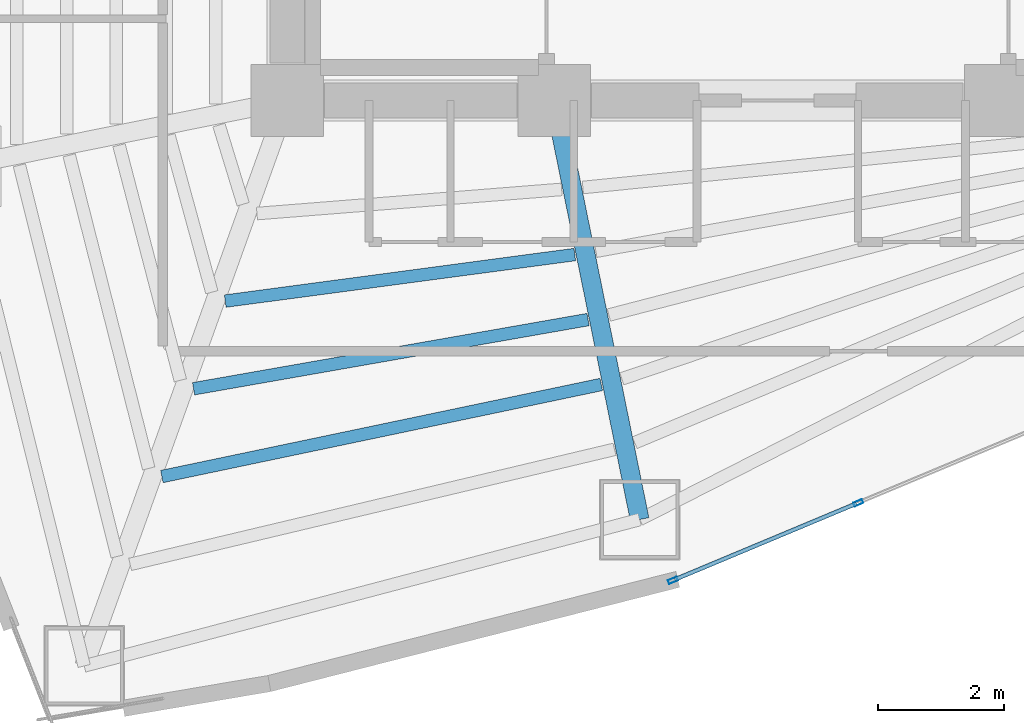
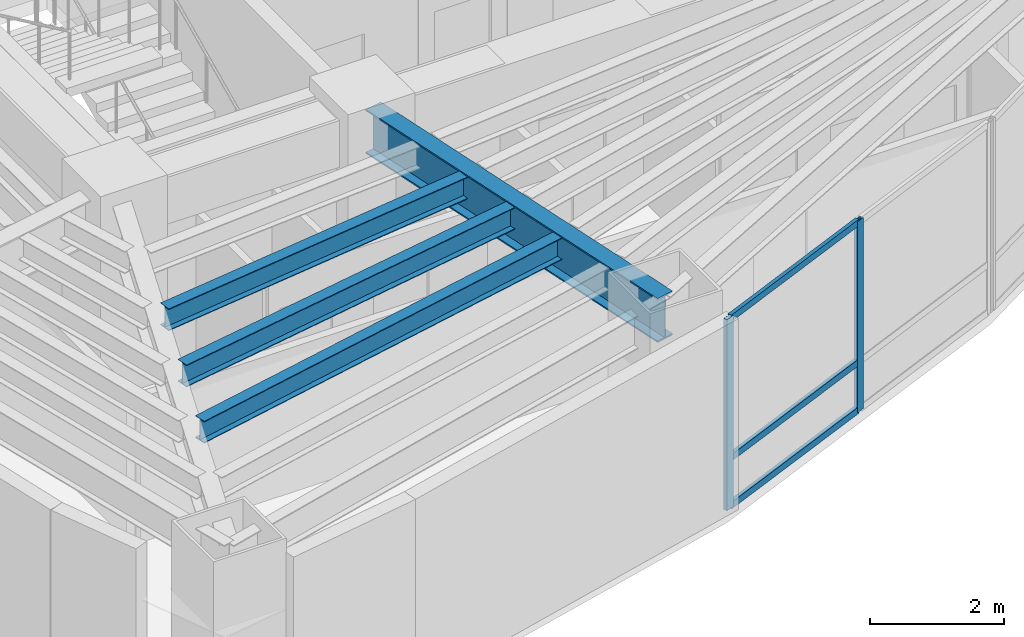
# One storey, part 2 of 18: 5 members, 4 beams, 1 element without a shape of its own.
"""IFC4 building model written with IfcOpenShell, lengths in metres."""

from ifc_helpers import new_model, si_unit, direction, frame, origin, origin_2d, place, context, subcontext, project, spatial, hollow_rectangle, i_section, extrude, material, layer, layer_set, material_profile, profile_set, type_object, element, aggregate, save


model = new_model("IFC4")

# Units and contexts
model_context = context("Model", 3, precision=1e-05, world=origin(), true_north=direction((0.0, 1.0)))
body_context = subcontext(model_context, "Body", "Model", "MODEL_VIEW")
ifc_project = project(units=[si_unit("LENGTHUNIT", "METRE"), si_unit("AREAUNIT", "SQUARE_METRE"), si_unit("VOLUMEUNIT", "CUBIC_METRE"), si_unit("PLANEANGLEUNIT", "RADIAN"), si_unit("MASSUNIT", "GRAM", prefix="KILO")], contexts=[model_context])

# Site, building, storey
site_placement = place(None, origin())
site = spatial("IfcSite", under=ifc_project, at=site_placement, CompositionType="ELEMENT")
building_placement = place(site_placement, origin())
building = spatial("IfcBuilding", under=site, at=building_placement, Name="Menara Vayukalpa", CompositionType="ELEMENT")
storey_placement = place(building_placement, frame((0.0, 0.0, 89.10009765625)))
storey = spatial("IfcBuildingStorey", under=building, at=storey_placement, Name="L21", CompositionType="ELEMENT", Elevation=89.10009765625)

# Beams
ifc_material_1 = material(Name="Steel S355", Category="steel")
ifc_material_profile_1 = material_profile(ifc_material_1, i_section(OverallWidth=0.300048828125, OverallDepth=0.800048828125, WebThickness=0.013916015625, FlangeThickness=0.02587890625, at=origin_2d()), Name="WF 800x300x14x26")
ifc_profile_set_1 = profile_set([ifc_material_profile_1], Name="Steel S355")
beam_type_1 = type_object("IfcBeamType", Name="BM-PG3", PredefinedType="BEAM", material=ifc_profile_set_1)
beam_1_placement = place(storey_placement, frame((22.099853515625, 16.955078125, 3.06982421875), z_axis=(0.199617728418, -0.9798738503, 0.0), x_axis=(0.9798738503, 0.199617728418, 0.0)))
element("IfcBeam", 1, at=beam_1_placement, inside=storey, type_object=beam_type_1, Name="L21 Primary Radial Girder RG08", PredefinedType="BEAM", context=body_context, shape_type="SweptSolid", body=[
    extrude(i_section(OverallWidth=0.300048828125, OverallDepth=0.800048828125, WebThickness=0.013916015625, FlangeThickness=0.02587890625, at=origin_2d()), origin(), (0.0, 0.0, 1.0), 6.55419921875),
])
ifc_material_2 = material(Name="Steel S355", Category="steel")
ifc_material_profile_2 = material_profile(ifc_material_2, i_section(OverallWidth=0.199951171875, OverallDepth=0.39990234375, WebThickness=0.008056640625, FlangeThickness=0.012939453125, at=origin_2d()), Name="WF 400x200x8x13")
ifc_profile_set_2 = profile_set([ifc_material_profile_2], Name="Steel S355")
beam_type_2 = type_object("IfcBeamType", Name="BM-SJ2", PredefinedType="JOIST", material=ifc_profile_set_2)
beam_2_placement = place(storey_placement, frame((16.814208984375, 14.008056640625, 3.27001953125), z_axis=(0.991248408809, 0.132009817941, 0.0), x_axis=(-0.132009817941, 0.991248408809, 0.0)))
element("IfcBeam", 2, at=beam_2_placement, inside=storey, type_object=beam_type_2, Name="L21 Secondary Floor Joist SJ07-2", PredefinedType="JOIST", context=body_context, shape_type="SweptSolid", body=[
    extrude(i_section(OverallWidth=0.199951171875, OverallDepth=0.39990234375, WebThickness=0.008056640625, FlangeThickness=0.012939453125, at=origin_2d()), origin(), (0.0, 0.0, 1.0), 5.611083984375),
])
beam_3_placement = place(storey_placement, frame((16.309814453125, 12.613037109375, 3.27001953125), z_axis=(0.984953935883, 0.172817083033, 0.0), x_axis=(-0.172817083033, 0.984953935883, 0.0)))
element("IfcBeam", 3, at=beam_3_placement, inside=storey, type_object=beam_type_2, Name="L21 Secondary Floor Joist SJ07-3", PredefinedType="JOIST", context=body_context, shape_type="SweptSolid", body=[
    extrude(i_section(OverallWidth=0.199951171875, OverallDepth=0.39990234375, WebThickness=0.008056640625, FlangeThickness=0.012939453125, at=origin_2d()), origin(), (0.0, 0.0, 1.0), 6.372802734375),
])
beam_4_placement = place(storey_placement, frame((15.805419921875, 11.216552734375, 3.27001953125), z_axis=(0.978749487369, 0.205059603471, 0.0), x_axis=(-0.205059603471, 0.978749487369, 0.0)))
element("IfcBeam", 4, at=beam_4_placement, inside=storey, type_object=beam_type_2, Name="L21 Secondary Floor Joist SJ07-4", PredefinedType="JOIST", context=body_context, shape_type="SweptSolid", body=[
    extrude(i_section(OverallWidth=0.199951171875, OverallDepth=0.39990234375, WebThickness=0.008056640625, FlangeThickness=0.012939453125, at=origin_2d()), origin(), (0.0, 0.0, 1.0), 7.1435546875),
])

# Curtain wall, members
ifc_material_3 = material(Name="Anodised Terracotta Aluminium Alloy 6063-T6", Category="masonry")
ifc_layer = layer(ifc_material_3, 0.14990234375)
ifc_layer_set = layer_set([ifc_layer], Name="Anodised Terracotta Aluminium Alloy 6063-T6")
curtain_wall_type = type_object("IfcCurtainWallType", Name="CW-CW3", PredefinedType="USERDEFINED", material=ifc_layer_set)
curtain_wall_placement = place(storey_placement, origin())
curtain_wall = element("IfcCurtainWall", 5, at=curtain_wall_placement, inside=storey, type_object=curtain_wall_type, Name="L21 Mid Rise Terracotta Ribbon Curtain Wall CW3 16", ObjectType="UNITISED", PredefinedType="USERDEFINED")
ifc_material_4 = material(Name="Anodised Terracotta Aluminium Alloy 6063-T6", Category="masonry")
ifc_material_profile_3 = material_profile(ifc_material_4, hollow_rectangle(XDim=0.06494140625, YDim=0.14990234375, WallThickness=0.00341796875, at=origin_2d()), Name="ALU 65x150x3.5")
ifc_profile_set_3 = profile_set([ifc_material_profile_3], Name="Anodised Terracotta Aluminium Alloy 6063-T6")
member_type_1 = type_object("IfcMemberType", Name="CWM-CW3", PredefinedType="MULLION", material=ifc_profile_set_3)
member_1_placement = place(storey_placement, frame((23.9375, 9.56494140625, 0.0), z_axis=(0.0, 0.0, 1.0), x_axis=(-0.38589358437, 0.922543300632, 0.0)))
member_1 = element("IfcMember", 6, at=member_1_placement, type_object=member_type_1, Name="CW3 mullion 1", PredefinedType="MULLION", context=body_context, shape_type="SweptSolid", body=[
    extrude(hollow_rectangle(XDim=0.06494140625, YDim=0.14990234375, WallThickness=0.00341796875, at=origin_2d()), origin(), (0.0, 0.0, 1.0), 3.469970703125),
])
member_2_placement = place(storey_placement, frame((26.88671875, 10.798583984375, 0.0), z_axis=(0.0, 0.0, 1.0), x_axis=(-0.38589358437, 0.922543300632, 0.0)))
member_2 = element("IfcMember", 7, at=member_2_placement, type_object=member_type_1, Name="CW3 mullion 2", PredefinedType="MULLION", context=body_context, shape_type="SweptSolid", body=[
    extrude(hollow_rectangle(XDim=0.06494140625, YDim=0.14990234375, WallThickness=0.00341796875, at=origin_2d()), origin(), (0.0, 0.0, 1.0), 3.469970703125),
])
ifc_material_5 = material(Name="Anodised Terracotta Aluminium Alloy 6063-T6", Category="masonry")
ifc_material_profile_4 = material_profile(ifc_material_5, hollow_rectangle(XDim=0.06494140625, YDim=0.1201171875, WallThickness=0.00341796875, at=origin_2d()), Name="ALU 65x120x3.5")
ifc_profile_set_4 = profile_set([ifc_material_profile_4], Name="Anodised Terracotta Aluminium Alloy 6063-T6")
member_type_2 = type_object("IfcMemberType", Name="CWT-CW3", PredefinedType="USERDEFINED", material=ifc_profile_set_4)
member_3_placement = place(storey_placement, frame((23.96728515625, 9.577392578125, 0.032470703125), z_axis=(0.922529423765, 0.385926757673, 0.0), x_axis=(-0.385926757673, 0.922529423765, 0.0)))
member_3 = element("IfcMember", 8, at=member_3_placement, type_object=member_type_2, Name="CW3 transom 1.1", ObjectType="TRANSOM", PredefinedType="USERDEFINED", context=body_context, shape_type="SweptSolid", body=[
    extrude(hollow_rectangle(XDim=0.06494140625, YDim=0.1201171875, WallThickness=0.00341796875, at=origin_2d()), origin(), (0.0, 0.0, 1.0), 3.132080078125),
])
member_4_placement = place(storey_placement, frame((23.96728515625, 9.577392578125, 0.89990234375), z_axis=(0.922529423765, 0.385926757673, 0.0), x_axis=(-0.385926757673, 0.922529423765, 0.0)))
member_4 = element("IfcMember", 9, at=member_4_placement, type_object=member_type_2, Name="CW3 transom 1.2", ObjectType="TRANSOM", PredefinedType="USERDEFINED", context=body_context, shape_type="SweptSolid", body=[
    extrude(hollow_rectangle(XDim=0.06494140625, YDim=0.1201171875, WallThickness=0.00341796875, at=origin_2d()), origin(), (0.0, 0.0, 1.0), 3.132080078125),
])
member_5_placement = place(storey_placement, frame((23.96728515625, 9.577392578125, 3.4375), z_axis=(0.922529423765, 0.385926757673, 0.0), x_axis=(-0.385926757673, 0.922529423765, 0.0)))
member_5 = element("IfcMember", 10, at=member_5_placement, type_object=member_type_2, Name="CW3 transom 1.3", ObjectType="TRANSOM", PredefinedType="USERDEFINED", context=body_context, shape_type="SweptSolid", body=[
    extrude(hollow_rectangle(XDim=0.06494140625, YDim=0.1201171875, WallThickness=0.00341796875, at=origin_2d()), origin(), (0.0, 0.0, 1.0), 3.132080078125),
])
aggregate(curtain_wall, [member_1, member_2, member_3, member_4, member_5])

save(model, "model.ifc")
